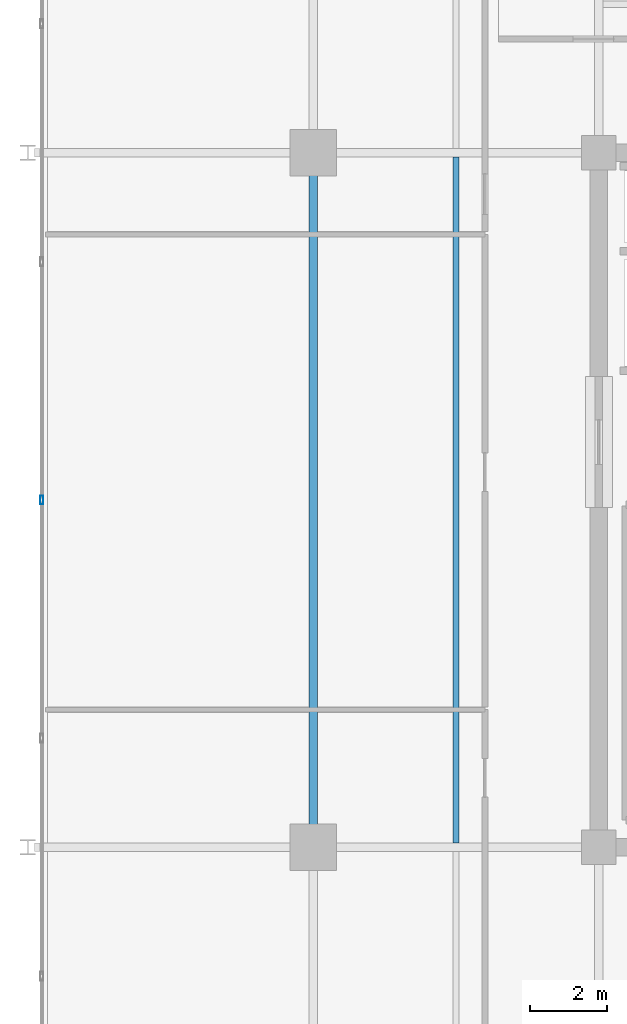
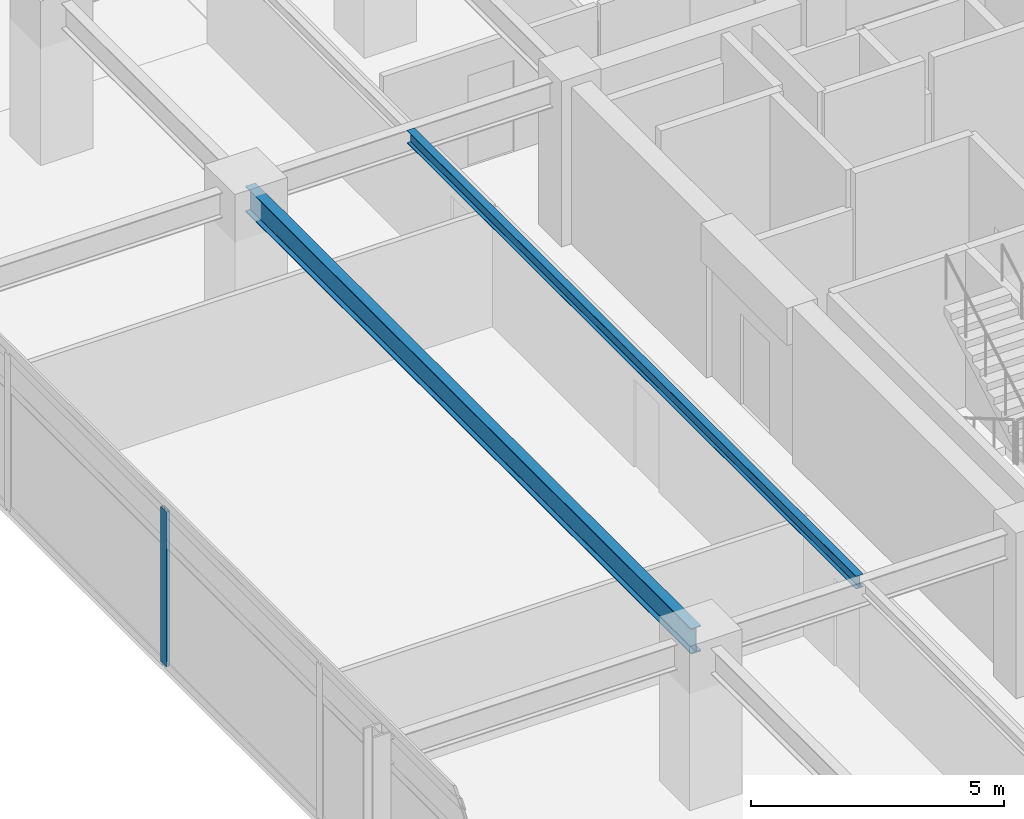
# One storey, part 6 of 20: 2 beams, 1 member, 1 element without a shape of its own.
"""IFC4 building model written with IfcOpenShell, lengths in metres."""

from ifc_helpers import new_model, si_unit, direction, frame, origin, origin_2d, place, context, subcontext, project, spatial, hollow_rectangle, i_section, extrude, material, material_profile, profile_set, type_object, element, aggregate, save


model = new_model("IFC4")

# Units and contexts
model_context = context("Model", 3, precision=1e-05, world=origin(), true_north=direction((0.0, 1.0)))
body_context = subcontext(model_context, "Body", "Model", "MODEL_VIEW")
ifc_project = project(units=[si_unit("LENGTHUNIT", "METRE"), si_unit("AREAUNIT", "SQUARE_METRE"), si_unit("VOLUMEUNIT", "CUBIC_METRE"), si_unit("PLANEANGLEUNIT", "RADIAN"), si_unit("MASSUNIT", "GRAM", prefix="KILO")], contexts=[model_context])

# Site, building, storey
site_placement = place(None, origin())
site = spatial("IfcSite", under=ifc_project, at=site_placement, CompositionType="ELEMENT")
building_placement = place(site_placement, origin())
building = spatial("IfcBuilding", under=site, at=building_placement, Name="Kovane Verandah Tower", CompositionType="ELEMENT")
storey_placement = place(building_placement, frame((0.0, 0.0, 287.199951171875)))
storey = spatial("IfcBuildingStorey", under=building, at=storey_placement, Name="L67", CompositionType="ELEMENT", Elevation=287.199951171875)

# Beam
ifc_material_1 = material(Name="Steel S355", Category="steel")
ifc_material_profile_1 = material_profile(ifc_material_1, i_section(OverallWidth=0.230224609375, OverallDepth=0.6171875, WebThickness=0.01318359375, FlangeThickness=0.022216796875, FilletRadius=0.0126953125, at=origin_2d()), Name="UB610x229x140")
ifc_profile_set_1 = profile_set([ifc_material_profile_1], Name="Steel S355")
beam_type_1 = type_object("IfcBeamType", Name="BM-UB610x140", PredefinedType="BEAM", material=ifc_profile_set_1)
beam_1_placement = place(storey_placement, frame((21.60009765625, 18.679931640625, 3.4765625), z_axis=(0.0, 1.0, 0.0), x_axis=(-1.0, 0.0, 0.0)))
element("IfcBeam", 1, at=beam_1_placement, inside=storey, type_object=beam_type_1, Name="L67 Primary Tower Girder G-RW2", PredefinedType="BEAM", context=body_context, shape_type="SweptSolid", body=[
    extrude(i_section(OverallWidth=0.230224609375, OverallDepth=0.6171875, WebThickness=0.01318359375, FlangeThickness=0.022216796875, FilletRadius=0.0126953125, at=origin_2d()), origin(), (0.0, 0.0, 1.0), 17.64013671875),
])

# Curtain wall, member
ifc_material_2 = material(Name="Champagne Anodised Aluminium Frame with Low-E Clear Laminated Glass", Category="aluminium")
curtain_wall_type = type_object("IfcCurtainWallType", Name="CW-SYS-05-HIGH", PredefinedType="NOTDEFINED", material=ifc_material_2)
curtain_wall_placement = place(storey_placement, origin())
curtain_wall = element("IfcCurtainWall", 2, at=curtain_wall_placement, inside=storey, type_object=curtain_wall_type, Name="L67 W Unitised Curtain Wall", PredefinedType="NOTDEFINED")
ifc_material_3 = material(Name="Champagne Anodised Aluminium 6063-T6", Category="aluminium")
ifc_material_profile_2 = material_profile(ifc_material_3, hollow_rectangle(XDim=0.0849609375, YDim=0.22998046875, WallThickness=0.00390625, at=origin_2d()), Name="AL85x230x4")
ifc_profile_set_2 = profile_set([ifc_material_profile_2], Name="Champagne Anodised Aluminium 6063-T6")
member_type = type_object("IfcMemberType", Name="CW-MUL-85x230", PredefinedType="MULLION", material=ifc_profile_set_2)
member_placement = place(storey_placement, frame((14.5625, 27.5, 0.02001953125), z_axis=(0.0, 0.0, 1.0), x_axis=(-1.0, 0.0, 0.0)))
member = element("IfcMember", 3, at=member_placement, type_object=member_type, Name="L67 W Unitised Curtain Wall Mullion 4", PredefinedType="MULLION", context=body_context, shape_type="SweptSolid", body=[
    extrude(hollow_rectangle(XDim=0.0849609375, YDim=0.22998046875, WallThickness=0.00390625, at=origin_2d()), origin(), (0.0, 0.0, 1.0), 3.7451171875),
])
aggregate(curtain_wall, [member])

# Beam
ifc_material_profile_3 = material_profile(ifc_material_1, i_section(OverallWidth=0.1669921875, OverallDepth=0.310302734375, WebThickness=0.0078125, FlangeThickness=0.013671875, FilletRadius=0.0087890625, at=origin_2d()), Name="UB305x165x54")
ifc_profile_set_3 = profile_set([ifc_material_profile_3], Name="Steel S355")
beam_type_2 = type_object("IfcBeamType", Name="JST-UB305x54", PredefinedType="JOIST", material=ifc_profile_set_3)
beam_2_placement = place(storey_placement, frame((25.300048828125, 18.613037109375, 3.6298828125), z_axis=(0.0, 1.0, 0.0), x_axis=(-1.0, 0.0, 0.0)))
element("IfcBeam", 4, at=beam_2_placement, inside=storey, type_object=beam_type_2, Name="L67 Secondary Composite Joist J-W1", PredefinedType="JOIST", context=body_context, shape_type="SweptSolid", body=[
    extrude(i_section(OverallWidth=0.1669921875, OverallDepth=0.310302734375, WebThickness=0.0078125, FlangeThickness=0.013671875, FilletRadius=0.0087890625, at=origin_2d()), origin(), (0.0, 0.0, 1.0), 17.77392578125),
])

save(model, "model.ifc")
